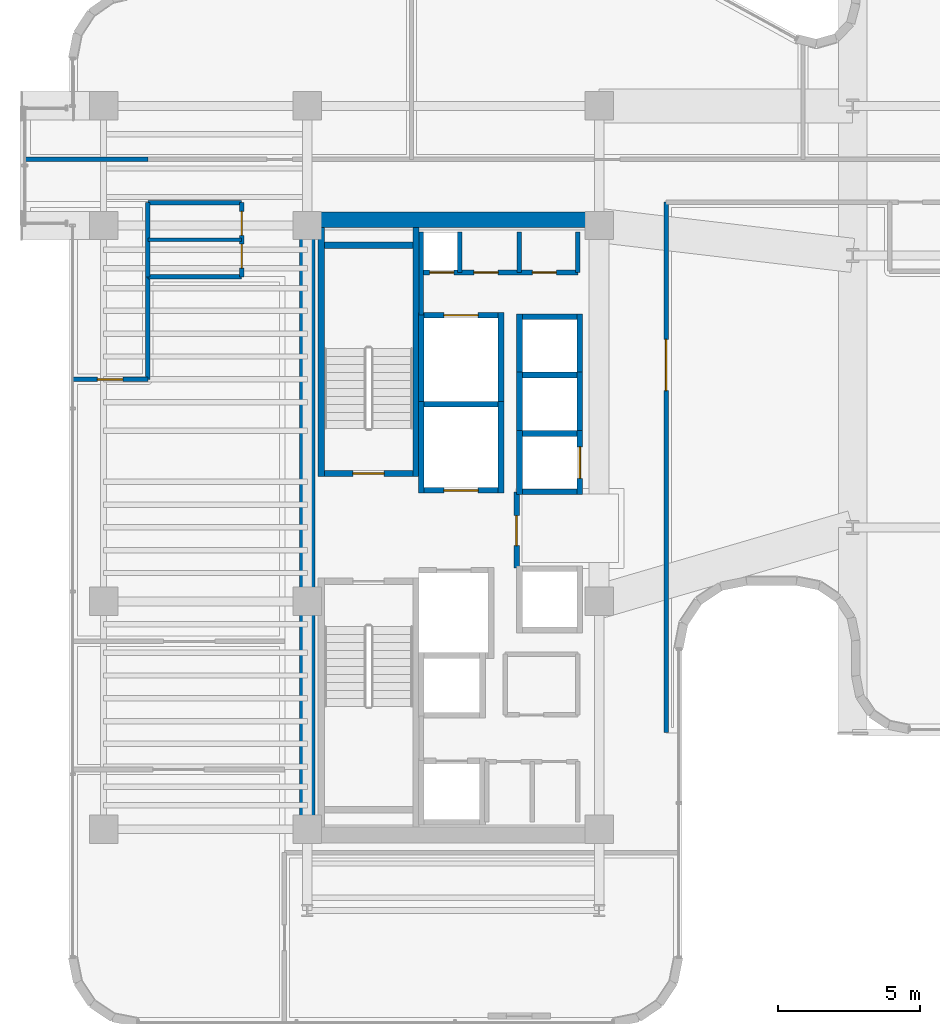
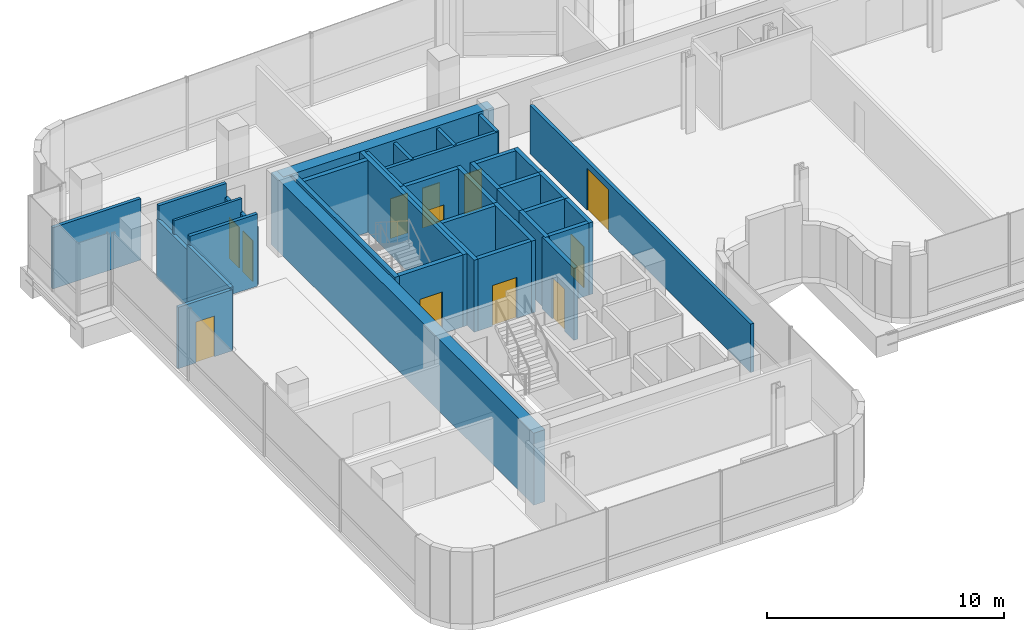
# One storey, part 28 of 35: 38 walls, 12 doors, 12 openings.
"""IFC4 building model written with IfcOpenShell, lengths in metres."""

from ifc_helpers import new_model, si_unit, direction, frame, frame_2d, origin, place, context, subcontext, project, spatial, rectangle, extrude, material, layer, layer_set, type_object, element, fill, save


model = new_model("IFC4")

# Units and contexts
model_context = context("Model", 3, precision=1e-05, world=origin(), true_north=direction((0.0, 1.0)))
body_context = subcontext(model_context, "Body", "Model", "MODEL_VIEW")
ifc_project = project(units=[si_unit("LENGTHUNIT", "METRE"), si_unit("AREAUNIT", "SQUARE_METRE"), si_unit("VOLUMEUNIT", "CUBIC_METRE"), si_unit("PLANEANGLEUNIT", "RADIAN"), si_unit("MASSUNIT", "GRAM", prefix="KILO")], contexts=[model_context])

# Site, building, storey
site_placement = place(None, origin())
site = spatial("IfcSite", under=ifc_project, at=site_placement, CompositionType="ELEMENT")
building_placement = place(site_placement, origin())
building = spatial("IfcBuilding", under=site, at=building_placement, Name="Valdorenza Pilgrim Sanctuary Tower", CompositionType="ELEMENT")
storey_placement = place(building_placement, frame((0.0, 0.0, 192.35009765625)))
storey = spatial("IfcBuildingStorey", under=building, at=storey_placement, Name="L49", CompositionType="ELEMENT", Elevation=192.35009765625)

# Wall
ifc_material_1 = material(Name="Acoustic twin-stud gypsum partition", Category="gypsum")
ifc_layer_1 = layer(ifc_material_1, 0.159912109375, Name="Acoustic twin-stud gypsum partition")
ifc_layer_set_1 = layer_set([ifc_layer_1], Name="Acoustic twin-stud gypsum partition")
wall_type_1 = type_object("IfcWallType", Name="WAL-COR-160", PredefinedType="PARTITIONING", material=ifc_layer_set_1)
wall_1_placement = place(storey_placement, frame((-18.64990234375, 7.449951171875, 0.0), z_axis=(0.0, 0.0, 1.0), x_axis=(0.0, 1.0, 0.0)))
element("IfcWall", 1, at=wall_1_placement, inside=storey, type_object=wall_type_1, Name="L49 Core A North Service West Wall", PredefinedType="PARTITIONING", context=body_context, shape_type="SweptSolid", body=[
    extrude(rectangle(XDim=2.929931640625, YDim=0.159912109375, at=frame_2d((1.46484375, 0.0))), origin(), (0.0, 0.0, 1.0), 3.7099609375),
])

# Wall, openings, doors
wall_2_placement = place(storey_placement, frame((-18.64990234375, 8.949951171875, 0.0), z_axis=(0.0, 0.0, 1.0), x_axis=(1.0, 0.0, 0.0)))
wall_2 = element("IfcWall", 2, at=wall_2_placement, inside=storey, type_object=wall_type_1, Name="L49 Core A North Service South Wall", PredefinedType="PARTITIONING", context=body_context, shape_type="SweptSolid", body=[
    extrude(rectangle(XDim=5.5, YDim=0.159912109375, at=frame_2d((2.75, 0.0))), origin(), (0.0, 0.0, 1.0), 3.7099609375),
])
opening_1_placement = place(wall_2_placement, frame((0.300048828125, 0.0, 0.0)))
opening_1 = element("IfcOpeningElement", 3, at=opening_1_placement, cuts=wall_2, Name="Opening DR-RS1", PredefinedType="OPENING", context=body_context, shape_type="SweptSolid", body=[
    extrude(rectangle(XDim=0.85009765625, YDim=2.050048828125, at=frame_2d((0.425048828125, 1.02490234375))), frame((0.0, 0.0947265625, 0.0), z_axis=(0.0, -1.0, 0.0), x_axis=(1.0, 0.0, 0.0)), (0.0, 0.0, 1.0), 0.189697265625),
])
opening_2_placement = place(wall_2_placement, frame((1.85009765625, 0.0, 0.0)))
opening_2 = element("IfcOpeningElement", 4, at=opening_2_placement, cuts=wall_2, Name="Opening DR-RS1", PredefinedType="OPENING", context=body_context, shape_type="SweptSolid", body=[
    extrude(rectangle(XDim=0.85009765625, YDim=2.050048828125, at=frame_2d((0.425048828125, 1.02490234375))), frame((0.0, 0.0947265625, 0.0), z_axis=(0.0, -1.0, 0.0), x_axis=(1.0, 0.0, 0.0)), (0.0, 0.0, 1.0), 0.189697265625),
])
opening_3_placement = place(wall_2_placement, frame((3.89990234375, 0.0, 0.0)))
opening_3 = element("IfcOpeningElement", 5, at=opening_3_placement, cuts=wall_2, Name="Opening DR-RS1", PredefinedType="OPENING", context=body_context, shape_type="SweptSolid", body=[
    extrude(rectangle(XDim=0.85009765625, YDim=2.050048828125, at=frame_2d((0.425048828125, 1.02490234375))), frame((0.0, 0.0947265625, 0.0), z_axis=(0.0, -1.0, 0.0), x_axis=(1.0, 0.0, 0.0)), (0.0, 0.0, 1.0), 0.189697265625),
])
ifc_material_2 = material(Name="Painted galvanized steel", Category="steel")
door_type_1 = type_object("IfcDoorType", Name="DR-RSR-850", OperationType="NOTDEFINED", PredefinedType="DOOR", material=ifc_material_2)
door_1_placement = place(opening_1_placement, origin())
door_1 = element("IfcDoor", 6, at=door_1_placement, inside=storey, type_object=door_type_1, Name="L49 Core Electrical and Telecom Riser Door", OperationType="SINGLE_SWING_LEFT", OverallHeight=2.050048828125, OverallWidth=0.85009765625, PredefinedType="DOOR", context=body_context, shape_type="SweptSolid", body=[
    extrude(rectangle(XDim=0.85009765625, YDim=2.050048828125, at=frame_2d((0.425048828125, 1.02490234375))), frame((0.0, 0.02490234375, 0.0), z_axis=(0.0, -1.0, 0.0), x_axis=(1.0, 0.0, 0.0)), (0.0, 0.0, 1.0), 0.050048828125),
])
fill(opening_1, door_1)
door_2_placement = place(opening_2_placement, origin())
door_2 = element("IfcDoor", 7, at=door_2_placement, inside=storey, type_object=door_type_1, Name="L49 Housekeeping and Clean Linen Room Door", OperationType="SINGLE_SWING_RIGHT", OverallHeight=2.050048828125, OverallWidth=0.85009765625, PredefinedType="DOOR", context=body_context, shape_type="SweptSolid", body=[
    extrude(rectangle(XDim=0.85009765625, YDim=2.050048828125, at=frame_2d((0.425048828125, 1.02490234375))), frame((0.0, 0.02490234375, 0.0), z_axis=(0.0, -1.0, 0.0), x_axis=(1.0, 0.0, 0.0)), (0.0, 0.0, 1.0), 0.050048828125),
])
fill(opening_2, door_2)
door_3_placement = place(opening_3_placement, origin())
door_3 = element("IfcDoor", 8, at=door_3_placement, inside=storey, type_object=door_type_1, Name="L49 Guest Ice and Vending Pantry Door", OperationType="SINGLE_SWING_LEFT", OverallHeight=2.050048828125, OverallWidth=0.85009765625, PredefinedType="DOOR", context=body_context, shape_type="SweptSolid", body=[
    extrude(rectangle(XDim=0.85009765625, YDim=2.050048828125, at=frame_2d((0.425048828125, 1.02490234375))), frame((0.0, 0.02490234375, 0.0), z_axis=(0.0, -1.0, 0.0), x_axis=(1.0, 0.0, 0.0)), (0.0, 0.0, 1.0), 0.050048828125),
])
fill(opening_3, door_3)

# Walls
for number, where, z_axis, x_axis, name in (
    (9, (-13.14990234375, 8.949951171875, 0.0), (0.0, 0.0, 1.0), (0.0, 1.0, 0.0), "L49 Core A North Service East Wall"),
    (10, (-17.300048828125, 8.949951171875, 0.0), (0.0, 0.0, 1.0), (0.0, 1.0, 0.0), "L49 Core Electrical Riser Wall"),
    (11, (-15.199951171875, 8.949951171875, 0.0), (0.0, 0.0, 1.0), (0.0, 1.0, 0.0), "L49 Core A Housekeeping Split B"),
):
    element("IfcWall", number, at=place(storey_placement, frame(where, z_axis=z_axis, x_axis=x_axis)), inside=storey, type_object=wall_type_1, Name=name, PredefinedType="PARTITIONING", context=body_context, shape_type="SweptSolid", body=[
        extrude(rectangle(XDim=1.429931640625, YDim=0.159912109375, at=frame_2d((0.71484375, 0.0))), origin(), (0.0, 0.0, 1.0), 3.7099609375),
    ])
wall_3_placement = place(storey_placement, frame((-28.25, 8.800048828125, 0.0), z_axis=(0.0, 0.0, 1.0), x_axis=(0.0, 1.0, 0.0)))
element("IfcWall", 12, at=wall_3_placement, inside=storey, type_object=wall_type_1, Name="L49 Washroom West Wall", PredefinedType="PARTITIONING", context=body_context, shape_type="SweptSolid", body=[
    extrude(rectangle(XDim=2.599853515625, YDim=0.159912109375, at=frame_2d((1.2998046875, 0.0))), origin(), (0.0, 0.0, 1.0), 2.993896484375),
])

# Wall, openings, doors
wall_4_placement = place(storey_placement, frame((-24.949951171875, 8.800048828125, 0.0), z_axis=(0.0, 0.0, 1.0), x_axis=(0.0, 1.0, 0.0)))
wall_4 = element("IfcWall", 13, at=wall_4_placement, inside=storey, type_object=wall_type_1, Name="L49 Washroom East Wall", PredefinedType="PARTITIONING", context=body_context, shape_type="SweptSolid", body=[
    extrude(rectangle(XDim=2.599853515625, YDim=0.159912109375, at=frame_2d((1.2998046875, 0.0))), origin(), (0.0, 0.0, 1.0), 2.993896484375),
])
opening_4_placement = place(wall_4_placement, frame((0.300048828125, 0.0, 0.0)))
opening_4 = element("IfcOpeningElement", 14, at=opening_4_placement, cuts=wall_4, Name="Opening DR-WC1", PredefinedType="OPENING", context=body_context, shape_type="SweptSolid", body=[
    extrude(rectangle(XDim=0.85009765625, YDim=2.10009765625, at=frame_2d((0.425048828125, 1.050048828125))), frame((0.0, 0.0947265625, 0.0), z_axis=(0.0, -1.0, 0.0), x_axis=(1.0, 0.0, 0.0)), (0.0, 0.0, 1.0), 0.189697265625),
])
opening_5_placement = place(wall_4_placement, frame((1.449951171875, 0.0, 0.0)))
opening_5 = element("IfcOpeningElement", 15, at=opening_5_placement, cuts=wall_4, Name="Opening DR-WC1", PredefinedType="OPENING", context=body_context, shape_type="SweptSolid", body=[
    extrude(rectangle(XDim=0.85009765625, YDim=2.10009765625, at=frame_2d((0.425048828125, 1.050048828125))), frame((0.0, 0.0947265625, 0.0), z_axis=(0.0, -1.0, 0.0), x_axis=(1.0, 0.0, 0.0)), (0.0, 0.0, 1.0), 0.189697265625),
])
ifc_material_3 = material(Name="Moisture-resistant lacquered timber", Category="wood")
door_type_2 = type_object("IfcDoorType", Name="DR-BATH-850", OperationType="NOTDEFINED", PredefinedType="DOOR", material=ifc_material_3)
door_4_placement = place(opening_4_placement, origin())
door_4 = element("IfcDoor", 16, at=door_4_placement, inside=storey, type_object=door_type_2, Name="L49 Accessible Washroom Door", OperationType="SINGLE_SWING_LEFT", OverallHeight=2.10009765625, OverallWidth=0.85009765625, PredefinedType="DOOR", context=body_context, shape_type="SweptSolid", body=[
    extrude(rectangle(XDim=0.85009765625, YDim=2.10009765625, at=frame_2d((0.425048828125, 1.050048828125))), frame((0.0, 0.02490234375, 0.0), z_axis=(0.0, -1.0, 0.0), x_axis=(1.0, 0.0, 0.0)), (0.0, 0.0, 1.0), 0.050048828125),
])
fill(opening_4, door_4)
door_5_placement = place(opening_5_placement, origin())
door_5 = element("IfcDoor", 17, at=door_5_placement, inside=storey, type_object=door_type_2, Name="L49 Public Washroom Door", OperationType="SINGLE_SWING_RIGHT", OverallHeight=2.10009765625, OverallWidth=0.85009765625, PredefinedType="DOOR", context=body_context, shape_type="SweptSolid", body=[
    extrude(rectangle(XDim=0.85009765625, YDim=2.10009765625, at=frame_2d((0.425048828125, 1.050048828125))), frame((0.0, 0.02490234375, 0.0), z_axis=(0.0, -1.0, 0.0), x_axis=(1.0, 0.0, 0.0)), (0.0, 0.0, 1.0), 0.050048828125),
])
fill(opening_5, door_5)

# Walls
for number, where, z_axis, x_axis, name in (
    (18, (-28.25, 8.800048828125, 0.0), (0.0, 0.0, 1.0), (1.0, 0.0, 0.0), "L49 Washroom South Wall"),
    (19, (-28.25, 11.39990234375, 0.0), (0.0, 0.0, 1.0), (1.0, 0.0, 0.0), "L49 Washroom North Wall"),
):
    element("IfcWall", number, at=place(storey_placement, frame(where, z_axis=z_axis, x_axis=x_axis)), inside=storey, type_object=wall_type_1, Name=name, PredefinedType="PARTITIONING", context=body_context, shape_type="SweptSolid", body=[
        extrude(rectangle(XDim=3.300048828125, YDim=0.159912109375, at=frame_2d((1.64990234375, 0.0))), origin(), (0.0, 0.0, 1.0), 3.7099609375),
    ])

# Wall, opening, door
wall_5_placement = place(storey_placement, frame((-30.889892578125, 5.199951171875, 0.0), z_axis=(0.0, 0.0, 1.0), x_axis=(1.0, 0.0, 0.0)))
wall_5 = element("IfcWall", 20, at=wall_5_placement, inside=storey, type_object=wall_type_1, Name="L49 Cloister North Room Wall", PredefinedType="PARTITIONING", context=body_context, shape_type="SweptSolid", body=[
    extrude(rectangle(XDim=2.639892578125, YDim=0.159912109375, at=frame_2d((1.31982421875, 0.0))), origin(), (0.0, 0.0, 1.0), 3.156005859375),
])
opening_6_placement = place(wall_5_placement, frame((0.8701171875, 0.0, 0.0)))
opening_6 = element("IfcOpeningElement", 21, at=opening_6_placement, cuts=wall_5, Name="Opening DR-RM1", PredefinedType="OPENING", context=body_context, shape_type="SweptSolid", body=[
    extrude(rectangle(XDim=0.89990234375, YDim=2.10009765625, at=frame_2d((0.449951171875, 1.050048828125))), frame((0.0, 0.0947265625, 0.0), z_axis=(0.0, -1.0, 0.0), x_axis=(1.0, 0.0, 0.0)), (0.0, 0.0, 1.0), 0.189697265625),
])
ifc_material_4 = material(Name="Solid-core European oak timber", Category="wood")
door_type_3 = type_object("IfcDoorType", Name="DR-ROOM-900", OperationType="NOTDEFINED", PredefinedType="DOOR", material=ifc_material_4)
door_6_placement = place(opening_6_placement, origin())
door_6 = element("IfcDoor", 22, at=door_6_placement, inside=storey, type_object=door_type_3, Name="L49 North Contemplation Lounge L49 Door", OperationType="SINGLE_SWING_RIGHT", OverallHeight=2.10009765625, OverallWidth=0.89990234375, PredefinedType="DOOR", context=body_context, shape_type="SweptSolid", body=[
    extrude(rectangle(XDim=0.89990234375, YDim=2.10009765625, at=frame_2d((0.449951171875, 1.050048828125))), frame((0.0, 0.02490234375, 0.0), z_axis=(0.0, -1.0, 0.0), x_axis=(1.0, 0.0, 0.0)), (0.0, 0.0, 1.0), 0.050048828125),
])
fill(opening_6, door_6)

# Walls
wall_6_placement = place(storey_placement, frame((-28.25, 5.199951171875, 0.0), z_axis=(0.0, 0.0, 1.0), x_axis=(0.0, 1.0, 0.0)))
element("IfcWall", 23, at=wall_6_placement, inside=storey, type_object=wall_type_1, Name="L49 Cloister NE Closure", PredefinedType="PARTITIONING", context=body_context, shape_type="SweptSolid", body=[
    extrude(rectangle(XDim=3.60009765625, YDim=0.159912109375, at=frame_2d((1.800048828125, 0.0))), origin(), (0.0, 0.0, 1.0), 3.23779296875),
])
wall_7_placement = place(storey_placement, frame((-32.5400390625, 12.919921875, 0.0), z_axis=(0.0, 0.0, 1.0), x_axis=(1.0, 0.0, 0.0)))
element("IfcWall", 24, at=wall_7_placement, inside=storey, type_object=wall_type_1, Name="L49 Cloister North Solid Partition", PredefinedType="PARTITIONING", context=body_context, shape_type="SweptSolid", body=[
    extrude(rectangle(XDim=4.2900390625, YDim=0.159912109375, at=frame_2d((2.14501953125, 0.0))), origin(), (0.0, 0.0, 1.0), 3.156005859375),
])

# Wall, opening, door
wall_8_placement = place(storey_placement, frame((-10.050048828125, -7.199951171875, 0.0), z_axis=(0.0, 0.0, 1.0), x_axis=(0.0, 1.0, 0.0)))
wall_8 = element("IfcWall", 25, at=wall_8_placement, inside=storey, type_object=wall_type_1, Name="L49 Prayer Bar West Wall", PredefinedType="PARTITIONING", context=body_context, shape_type="SweptSolid", body=[
    extrude(rectangle(XDim=18.619873046875, YDim=0.159912109375, at=frame_2d((9.31005859375, 0.0))), origin(), (0.0, 0.0, 1.0), 2.494873046875),
])
opening_7_placement = place(wall_8_placement, frame((12.0, 0.0, 0.0)))
opening_7 = element("IfcOpeningElement", 26, at=opening_7_placement, cuts=wall_8, Name="Opening DR-HL1", PredefinedType="OPENING", context=body_context, shape_type="SweptSolid", body=[
    extrude(rectangle(XDim=1.800048828125, YDim=2.14990234375, at=frame_2d((0.89990234375, 1.074951171875))), frame((0.0, 0.0947265625, 0.0), z_axis=(0.0, -1.0, 0.0), x_axis=(1.0, 0.0, 0.0)), (0.0, 0.0, 1.0), 0.189697265625),
])
ifc_material_5 = material(Name="Acoustic oak and vision-glass double door", Category="glass")
door_type_4 = type_object("IfcDoorType", Name="DR-HALL-1800", OperationType="NOTDEFINED", PredefinedType="DOOR", material=ifc_material_5)
door_7_placement = place(opening_7_placement, origin())
door_7 = element("IfcDoor", 27, at=door_7_placement, inside=storey, type_object=door_type_4, Name="L49 Congregational Prayer Hall West Door", OperationType="DOUBLE_DOOR_SINGLE_SWING", OverallHeight=2.14990234375, OverallWidth=1.800048828125, PredefinedType="DOOR", context=body_context, shape_type="SweptSolid", body=[
    extrude(rectangle(XDim=1.800048828125, YDim=2.14990234375, at=frame_2d((0.89990234375, 1.074951171875))), frame((0.0, 0.02490234375, 0.0), z_axis=(0.0, -1.0, 0.0), x_axis=(1.0, 0.0, 0.0)), (0.0, 0.0, 1.0), 0.050048828125),
])
fill(opening_7, door_7)

# Walls
ifc_material_6 = material(Name="Concrete C50/60", Category="concrete")
ifc_layer_2 = layer(ifc_material_6, 0.550048828125, Name="Concrete C50/60")
ifc_layer_set_2 = layer_set([ifc_layer_2], Name="Concrete C50/60")
wall_type_2 = type_object("IfcWallType", Name="WAL-COR-550", PredefinedType="SHEAR", material=ifc_layer_set_2)
wall_9_placement = place(storey_placement, frame((-22.64990234375, -11.074951171875, 0.0), z_axis=(0.0, 0.0, 1.0), x_axis=(0.0, 1.0, 0.0)))
element("IfcWall", 28, at=wall_9_placement, inside=storey, type_object=wall_type_2, Name="L49 Split Core A Shear Wall W", PredefinedType="SHEAR", context=body_context, shape_type="SweptSolid", body=[
    extrude(rectangle(XDim=22.14990234375, YDim=0.550048828125, at=frame_2d((11.074951171875, 0.0))), origin(), (0.0, 0.0, 1.0), 3.7099609375),
])
wall_10_placement = place(storey_placement, frame((-22.64990234375, 10.800048828125, 0.0), z_axis=(0.0, 0.0, 1.0), x_axis=(1.0, 0.0, 0.0)))
element("IfcWall", 29, at=wall_10_placement, inside=storey, type_object=wall_type_2, Name="L49 Split Core A Shear Wall N", PredefinedType="SHEAR", context=body_context, shape_type="SweptSolid", body=[
    extrude(rectangle(XDim=10.25, YDim=0.550048828125, at=frame_2d((5.125, 0.0))), origin(), (0.0, 0.0, 1.0), 3.7099609375),
])

# Wall, opening, door
ifc_material_7 = material(Name="Gypsum shaftwall partition", Category="gypsum")
ifc_layer_3 = layer(ifc_material_7, 0.199951171875, Name="Gypsum shaftwall partition")
ifc_layer_set_3 = layer_set([ifc_layer_3], Name="Gypsum shaftwall partition")
wall_type_3 = type_object("IfcWallType", Name="WAL-FFL-200", PredefinedType="PARTITIONING", material=ifc_layer_set_3)
wall_11_placement = place(storey_placement, frame((-15.300048828125, -1.419921875, 0.0), z_axis=(0.0, 0.0, 1.0), x_axis=(0.0, 1.0, 0.0)))
wall_11 = element("IfcWall", 30, at=wall_11_placement, inside=storey, type_object=wall_type_3, Name="L49 Core A Firefighting Lobby East Wall", PredefinedType="PARTITIONING", context=body_context, shape_type="SweptSolid", body=[
    extrude(rectangle(XDim=2.669921875, YDim=0.199951171875, at=frame_2d((1.3349609375, 0.0))), origin(), (0.0, 0.0, 1.0), 3.7099609375),
])
opening_8_placement = place(wall_11_placement, frame((0.780029296875, 0.0, 0.0)))
opening_8 = element("IfcOpeningElement", 31, at=opening_8_placement, cuts=wall_11, Name="Opening DR-FL1", PredefinedType="OPENING", context=body_context, shape_type="SweptSolid", body=[
    extrude(rectangle(XDim=1.050048828125, YDim=2.14990234375, at=frame_2d((0.52490234375, 1.074951171875))), frame((0.0, 0.11474609375, 0.0), z_axis=(0.0, -1.0, 0.0), x_axis=(1.0, 0.0, 0.0)), (0.0, 0.0, 1.0), 0.229736328125),
])
door_type_5 = type_object("IfcDoorType", Name="DR-FFL-1050", OperationType="NOTDEFINED", PredefinedType="DOOR", material=ifc_material_2)
door_8_placement = place(opening_8_placement, origin())
door_8 = element("IfcDoor", 32, at=door_8_placement, inside=storey, type_object=door_type_5, Name="L49 Core A Firefighting Lobby Door", OperationType="SINGLE_SWING_RIGHT", OverallHeight=2.14990234375, OverallWidth=1.050048828125, PredefinedType="DOOR", context=body_context, shape_type="SweptSolid", body=[
    extrude(rectangle(XDim=1.050048828125, YDim=2.14990234375, at=frame_2d((0.52490234375, 1.074951171875))), frame((0.0, 0.02490234375, 0.0), z_axis=(0.0, -1.0, 0.0), x_axis=(1.0, 0.0, 0.0)), (0.0, 0.0, 1.0), 0.050048828125),
])
fill(opening_8, door_8)

# Walls
ifc_material_8 = material(Name="Moisture-resistant gypsum partition", Category="gypsum")
ifc_layer_4 = layer(ifc_material_8, 0.1201171875, Name="Moisture-resistant gypsum partition")
ifc_layer_set_4 = layer_set([ifc_layer_4], Name="Moisture-resistant gypsum partition")
wall_type_4 = type_object("IfcWallType", Name="WAL-INT-120", PredefinedType="PARTITIONING", material=ifc_layer_set_4)
wall_12_placement = place(storey_placement, frame((-28.25, 10.10009765625, 0.0), z_axis=(0.0, 0.0, 1.0), x_axis=(1.0, 0.0, 0.0)))
element("IfcWall", 33, at=wall_12_placement, inside=storey, type_object=wall_type_4, Name="L49 Washroom Divider Wall", PredefinedType="PARTITIONING", context=body_context, shape_type="SweptSolid", body=[
    extrude(rectangle(XDim=3.300048828125, YDim=0.1201171875, at=frame_2d((1.64990234375, 0.0))), origin(), (0.0, 0.0, 1.0), 3.7099609375),
])
ifc_material_9 = material(Name="Autoclaved aerated concrete blockwork", Category="masonry")
ifc_layer_5 = layer(ifc_material_9, 0.199951171875, Name="Autoclaved aerated concrete blockwork")
ifc_layer_set_5 = layer_set([ifc_layer_5], Name="Autoclaved aerated concrete blockwork")
wall_type_5 = type_object("IfcWallType", Name="WAL-SHF-200", PredefinedType="MOVABLE", material=ifc_layer_set_5)
for number, where, z_axis, x_axis, name in (
    (34, (-18.64990234375, 1.199951171875, 0.0), (0.0, 0.0, 1.0), (0.0, 1.0, 0.0), "L49 Lift FFL-01 Hoistway Wall West"),
    (35, (-15.85009765625, 1.199951171875, 0.0), (0.0, 0.0, 1.0), (0.0, 1.0, 0.0), "L49 Lift FFL-01 Hoistway Wall East"),
):
    element("IfcWall", number, at=place(storey_placement, frame(where, z_axis=z_axis, x_axis=x_axis)), inside=storey, type_object=wall_type_5, Name=name, PredefinedType="MOVABLE", context=body_context, shape_type="SweptSolid", body=[
        extrude(rectangle(XDim=3.22509765625, YDim=0.199951171875, at=frame_2d((1.612548828125, 0.0))), origin(), (0.0, 0.0, 1.0), 3.7099609375),
    ])

# Wall, opening, door
wall_13_placement = place(storey_placement, frame((-18.550048828125, 1.300048828125, 0.0), z_axis=(0.0, 0.0, 1.0), x_axis=(1.0, 0.0, 0.0)))
wall_13 = element("IfcWall", 36, at=wall_13_placement, inside=storey, type_object=wall_type_5, Name="L49 Lift FFL-01 Hoistway Wall South", PredefinedType="MOVABLE", context=body_context, shape_type="SweptSolid", body=[
    extrude(rectangle(XDim=2.60009765625, YDim=0.199951171875, at=frame_2d((1.300048828125, 0.0))), origin(), (0.0, 0.0, 1.0), 3.7099609375),
])
opening_9_placement = place(wall_13_placement, frame((0.699951171875, 0.0, 0.0)))
opening_9 = element("IfcOpeningElement", 37, at=opening_9_placement, cuts=wall_13, Name="Opening LD-02", PredefinedType="OPENING", context=body_context, shape_type="SweptSolid", body=[
    extrude(rectangle(XDim=1.199951171875, YDim=2.10009765625, at=frame_2d((0.60009765625, 1.050048828125))), frame((0.0, 0.11474609375, 0.0), z_axis=(0.0, -1.0, 0.0), x_axis=(1.0, 0.0, 0.0)), (0.0, 0.0, 1.0), 0.229736328125),
])
ifc_material_10 = material(Name="Brushed stainless steel Grade 316", Category="steel")
door_type_6 = type_object("IfcDoorType", Name="DR-LFT-1200", OperationType="DOUBLE_DOOR_SLIDING", PredefinedType="DOOR", material=ifc_material_10)
door_9_placement = place(opening_9_placement, origin())
door_9 = element("IfcDoor", 38, at=door_9_placement, inside=storey, type_object=door_type_6, Name="L49 Lift FFL-01 Sliding Landing Door", OperationType="DOUBLE_DOOR_SLIDING", OverallHeight=2.10009765625, OverallWidth=1.199951171875, PredefinedType="DOOR", context=body_context, shape_type="SweptSolid", body=[
    extrude(rectangle(XDim=1.199951171875, YDim=2.10009765625, at=frame_2d((0.60009765625, 1.050048828125))), frame((0.0, 0.02490234375, 0.0), z_axis=(0.0, -1.0, 0.0), x_axis=(1.0, 0.0, 0.0)), (0.0, 0.0, 1.0), 0.050048828125),
])
fill(opening_9, door_9)

# Walls
wall_14_placement = place(storey_placement, frame((-18.550048828125, 4.324951171875, 0.0), z_axis=(0.0, 0.0, 1.0), x_axis=(1.0, 0.0, 0.0)))
element("IfcWall", 39, at=wall_14_placement, inside=storey, type_object=wall_type_5, Name="L49 Lift FFL-01 Hoistway Wall North", PredefinedType="MOVABLE", context=body_context, shape_type="SweptSolid", body=[
    extrude(rectangle(XDim=2.60009765625, YDim=0.199951171875, at=frame_2d((1.300048828125, 0.0))), origin(), (0.0, 0.0, 1.0), 3.7099609375),
])
for number, where, z_axis, x_axis, name in (
    (40, (-18.64990234375, 4.22509765625, 0.0), (0.0, 0.0, 1.0), (0.0, 1.0, 0.0), "L49 Lift SVL-01 Hoistway Wall West"),
    (41, (-15.85009765625, 4.22509765625, 0.0), (0.0, 0.0, 1.0), (0.0, 1.0, 0.0), "L49 Lift SVL-01 Hoistway Wall East"),
):
    element("IfcWall", number, at=place(storey_placement, frame(where, z_axis=z_axis, x_axis=x_axis)), inside=storey, type_object=wall_type_5, Name=name, PredefinedType="MOVABLE", context=body_context, shape_type="SweptSolid", body=[
        extrude(rectangle(XDim=3.324951171875, YDim=0.199951171875, at=frame_2d((1.66259765625, 0.0))), origin(), (0.0, 0.0, 1.0), 3.7099609375),
    ])

# Wall, opening, door
wall_15_placement = place(storey_placement, frame((-18.550048828125, 7.449951171875, 0.0), z_axis=(0.0, 0.0, 1.0), x_axis=(1.0, 0.0, 0.0)))
wall_15 = element("IfcWall", 42, at=wall_15_placement, inside=storey, type_object=wall_type_5, Name="L49 Lift SVL-01 Hoistway Wall North", PredefinedType="MOVABLE", context=body_context, shape_type="SweptSolid", body=[
    extrude(rectangle(XDim=2.60009765625, YDim=0.199951171875, at=frame_2d((1.300048828125, 0.0))), origin(), (0.0, 0.0, 1.0), 3.7099609375),
])
opening_10_placement = place(wall_15_placement, frame((0.699951171875, 0.0, 0.0)))
opening_10 = element("IfcOpeningElement", 43, at=opening_10_placement, cuts=wall_15, Name="Opening LD-02", PredefinedType="OPENING", context=body_context, shape_type="SweptSolid", body=[
    extrude(rectangle(XDim=1.199951171875, YDim=2.10009765625, at=frame_2d((0.60009765625, 1.050048828125))), frame((0.0, 0.11474609375, 0.0), z_axis=(0.0, -1.0, 0.0), x_axis=(1.0, 0.0, 0.0)), (0.0, 0.0, 1.0), 0.229736328125),
])
door_10_placement = place(opening_10_placement, origin())
door_10 = element("IfcDoor", 44, at=door_10_placement, inside=storey, type_object=door_type_6, Name="L49 Lift SVL-01 Sliding Landing Door", OperationType="DOUBLE_DOOR_SLIDING", OverallHeight=2.10009765625, OverallWidth=1.199951171875, PredefinedType="DOOR", context=body_context, shape_type="SweptSolid", body=[
    extrude(rectangle(XDim=1.199951171875, YDim=2.10009765625, at=frame_2d((0.60009765625, 1.050048828125))), frame((0.0, 0.02490234375, 0.0), z_axis=(0.0, -1.0, 0.0), x_axis=(1.0, 0.0, 0.0)), (0.0, 0.0, 1.0), 0.050048828125),
])
fill(opening_10, door_10)

# Wall
wall_16_placement = place(storey_placement, frame((-15.199951171875, 1.14990234375, 0.0), z_axis=(0.0, 0.0, 1.0), x_axis=(0.0, 1.0, 0.0)))
element("IfcWall", 45, at=wall_16_placement, inside=storey, type_object=wall_type_5, Name="L49 Lift PL-06 Hoistway Wall West", PredefinedType="MOVABLE", context=body_context, shape_type="SweptSolid", body=[
    extrude(rectangle(XDim=2.25, YDim=0.199951171875, at=frame_2d((1.125, 0.0))), origin(), (0.0, 0.0, 1.0), 3.7099609375),
])

# Wall, opening, door
wall_17_placement = place(storey_placement, frame((-13.080078125, 1.14990234375, 0.0), z_axis=(0.0, 0.0, 1.0), x_axis=(0.0, 1.0, 0.0)))
wall_17 = element("IfcWall", 46, at=wall_17_placement, inside=storey, type_object=wall_type_5, Name="L49 Lift PL-06 Hoistway Wall East", PredefinedType="MOVABLE", context=body_context, shape_type="SweptSolid", body=[
    extrude(rectangle(XDim=2.25, YDim=0.199951171875, at=frame_2d((1.125, 0.0))), origin(), (0.0, 0.0, 1.0), 3.7099609375),
])
opening_11_placement = place(wall_17_placement, frame((0.574951171875, 0.0, 0.0)))
opening_11 = element("IfcOpeningElement", 47, at=opening_11_placement, cuts=wall_17, Name="Opening LD-01", PredefinedType="OPENING", context=body_context, shape_type="SweptSolid", body=[
    extrude(rectangle(XDim=1.10009765625, YDim=2.10009765625, at=frame_2d((0.550048828125, 1.050048828125))), frame((0.0, 0.11474609375, 0.0), z_axis=(0.0, -1.0, 0.0), x_axis=(1.0, 0.0, 0.0)), (0.0, 0.0, 1.0), 0.229736328125),
])
door_type_7 = type_object("IfcDoorType", Name="DR-LFT-1100", OperationType="DOUBLE_DOOR_SLIDING", PredefinedType="DOOR", material=ifc_material_10)
door_11_placement = place(opening_11_placement, origin())
door_11 = element("IfcDoor", 48, at=door_11_placement, inside=storey, type_object=door_type_7, Name="L49 Lift PL-06 Sliding Landing Door", OperationType="DOUBLE_DOOR_SLIDING", OverallHeight=2.10009765625, OverallWidth=1.10009765625, PredefinedType="DOOR", context=body_context, shape_type="SweptSolid", body=[
    extrude(rectangle(XDim=1.10009765625, YDim=2.10009765625, at=frame_2d((0.550048828125, 1.050048828125))), frame((0.0, 0.02490234375, 0.0), z_axis=(0.0, -1.0, 0.0), x_axis=(1.0, 0.0, 0.0)), (0.0, 0.0, 1.0), 0.050048828125),
])
fill(opening_11, door_11)

# Walls
wall_18_placement = place(storey_placement, frame((-15.10009765625, 1.25, 0.0), z_axis=(0.0, 0.0, 1.0), x_axis=(1.0, 0.0, 0.0)))
element("IfcWall", 49, at=wall_18_placement, inside=storey, type_object=wall_type_5, Name="L49 Lift PL-06 Hoistway Wall South", PredefinedType="MOVABLE", context=body_context, shape_type="SweptSolid", body=[
    extrude(rectangle(XDim=1.920166015625, YDim=0.199951171875, at=frame_2d((0.9599609375, 0.0))), origin(), (0.0, 0.0, 1.0), 3.7099609375),
])
for number, where, z_axis, x_axis, name in (
    (50, (-15.199951171875, 3.199951171875, 0.0), (0.0, 0.0, 1.0), (0.0, 1.0, 0.0), "L49 Lift PL-09 Hoistway Wall West"),
    (51, (-13.080078125, 3.199951171875, 0.0), (0.0, 0.0, 1.0), (0.0, 1.0, 0.0), "L49 Lift PL-09 Hoistway Wall East"),
):
    element("IfcWall", number, at=place(storey_placement, frame(where, z_axis=z_axis, x_axis=x_axis)), inside=storey, type_object=wall_type_5, Name=name, PredefinedType="MOVABLE", context=body_context, shape_type="SweptSolid", body=[
        extrude(rectangle(XDim=2.25, YDim=0.199951171875, at=frame_2d((1.125, 0.0))), origin(), (0.0, 0.0, 1.0), 3.7099609375),
    ])
for number, where, z_axis, x_axis, name in (
    (52, (-15.10009765625, 3.300048828125, 0.0), (0.0, 0.0, 1.0), (1.0, 0.0, 0.0), "L49 Lift PL-09 Hoistway Wall South"),
    (53, (-15.10009765625, 5.35009765625, 0.0), (0.0, 0.0, 1.0), (1.0, 0.0, 0.0), "L49 Lift PL-09 Hoistway Wall North"),
):
    element("IfcWall", number, at=place(storey_placement, frame(where, z_axis=z_axis, x_axis=x_axis)), inside=storey, type_object=wall_type_5, Name=name, PredefinedType="MOVABLE", context=body_context, shape_type="SweptSolid", body=[
        extrude(rectangle(XDim=1.920166015625, YDim=0.199951171875, at=frame_2d((0.9599609375, 0.0))), origin(), (0.0, 0.0, 1.0), 3.7099609375),
    ])
for number, where, z_axis, x_axis, name in (
    (54, (-15.199951171875, 5.25, 0.0), (0.0, 0.0, 1.0), (0.0, 1.0, 0.0), "L49 Lift PL-10 Hoistway Wall West"),
    (55, (-13.080078125, 5.25, 0.0), (0.0, 0.0, 1.0), (0.0, 1.0, 0.0), "L49 Lift PL-10 Hoistway Wall East"),
):
    element("IfcWall", number, at=place(storey_placement, frame(where, z_axis=z_axis, x_axis=x_axis)), inside=storey, type_object=wall_type_5, Name=name, PredefinedType="MOVABLE", context=body_context, shape_type="SweptSolid", body=[
        extrude(rectangle(XDim=2.25, YDim=0.199951171875, at=frame_2d((1.125, 0.0))), origin(), (0.0, 0.0, 1.0), 3.7099609375),
    ])
wall_19_placement = place(storey_placement, frame((-15.10009765625, 7.39990234375, 0.0), z_axis=(0.0, 0.0, 1.0), x_axis=(1.0, 0.0, 0.0)))
element("IfcWall", 56, at=wall_19_placement, inside=storey, type_object=wall_type_5, Name="L49 Lift PL-10 Hoistway Wall North", PredefinedType="MOVABLE", context=body_context, shape_type="SweptSolid", body=[
    extrude(rectangle(XDim=1.920166015625, YDim=0.199951171875, at=frame_2d((0.9599609375, 0.0))), origin(), (0.0, 0.0, 1.0), 3.7099609375),
])
ifc_material_11 = material(Name="Concrete C40/50", Category="concrete")
ifc_layer_6 = layer(ifc_material_11, 0.219970703125, Name="Concrete C40/50")
ifc_layer_set_6 = layer_set([ifc_layer_6], Name="Concrete C40/50")
wall_type_6 = type_object("IfcWallType", Name="WAL-STR-SHF-220", PredefinedType="SHEAR", material=ifc_layer_set_6)
for number, where, z_axis, x_axis, name in (
    (57, (-22.159912109375, 1.780029296875, 0.0), (0.0, 0.0, 1.0), (0.0, 1.0, 0.0), "L49 ST-A1 Structural Stairwell Wall W"),
    (58, (-18.830078125, 1.780029296875, 0.0), (0.0, 0.0, 1.0), (0.0, 1.0, 0.0), "L49 ST-A1 Structural Stairwell Wall E"),
):
    element("IfcWall", number, at=place(storey_placement, frame(where, z_axis=z_axis, x_axis=x_axis)), inside=storey, type_object=wall_type_6, Name=name, PredefinedType="SHEAR", context=body_context, shape_type="SweptSolid", body=[
        extrude(rectangle(XDim=8.744873046875, YDim=0.219970703125, at=frame_2d((4.37255859375, 0.0))), origin(), (0.0, 0.0, 1.0), 3.7099609375),
    ])

# Wall, opening, door
wall_20_placement = place(storey_placement, frame((-22.050048828125, 1.889892578125, 0.0), z_axis=(0.0, 0.0, 1.0), x_axis=(1.0, 0.0, 0.0)))
wall_20 = element("IfcWall", 59, at=wall_20_placement, inside=storey, type_object=wall_type_6, Name="L49 ST-A1 Structural Stairwell Wall S", PredefinedType="SHEAR", context=body_context, shape_type="SweptSolid", body=[
    extrude(rectangle(XDim=3.110107421875, YDim=0.219970703125, at=frame_2d((1.55517578125, 0.0))), origin(), (0.0, 0.0, 1.0), 3.7099609375),
])
opening_12_placement = place(wall_20_placement, frame((1.0, 0.0, 0.0)))
opening_12 = element("IfcOpeningElement", 60, at=opening_12_placement, cuts=wall_20, Name="Opening DR-ST1", PredefinedType="OPENING", context=body_context, shape_type="SweptSolid", body=[
    extrude(rectangle(XDim=1.10009765625, YDim=2.14990234375, at=frame_2d((0.550048828125, 1.074951171875))), frame((0.0, 0.125, 0.0), z_axis=(0.0, -1.0, 0.0), x_axis=(1.0, 0.0, 0.0)), (0.0, 0.0, 1.0), 0.249755859375),
])
door_type_8 = type_object("IfcDoorType", Name="DR-STAIR-1100", OperationType="NOTDEFINED", PredefinedType="DOOR", material=ifc_material_2)
door_12_placement = place(opening_12_placement, frame((1.10009765625, 0.0, 0.0), z_axis=(0.0, 0.0, 1.0), x_axis=(-1.0, 0.0, 0.0)))
door_12 = element("IfcDoor", 61, at=door_12_placement, inside=storey, type_object=door_type_8, Name="L49 Exit Stair ST-A1 Door", OperationType="SINGLE_SWING_LEFT", OverallHeight=2.14990234375, OverallWidth=1.10009765625, PredefinedType="DOOR", context=body_context, shape_type="SweptSolid", body=[
    extrude(rectangle(XDim=1.10009765625, YDim=2.14990234375, at=frame_2d((0.550048828125, 1.074951171875))), frame((0.0, 0.02490234375, 0.0), z_axis=(0.0, -1.0, 0.0), x_axis=(1.0, 0.0, 0.0)), (0.0, 0.0, 1.0), 0.050048828125),
])
fill(opening_12, door_12)

# Wall
wall_21_placement = place(storey_placement, frame((-22.050048828125, 9.909912109375, 0.0), z_axis=(0.0, 0.0, 1.0), x_axis=(1.0, 0.0, 0.0)))
element("IfcWall", 62, at=wall_21_placement, inside=storey, type_object=wall_type_6, Name="L49 ST-A1 Structural Stairwell Wall N", PredefinedType="SHEAR", context=body_context, shape_type="SweptSolid", body=[
    extrude(rectangle(XDim=3.110107421875, YDim=0.219970703125, at=frame_2d((1.55517578125, 0.0))), origin(), (0.0, 0.0, 1.0), 3.7099609375),
])

save(model, "model.ifc")
